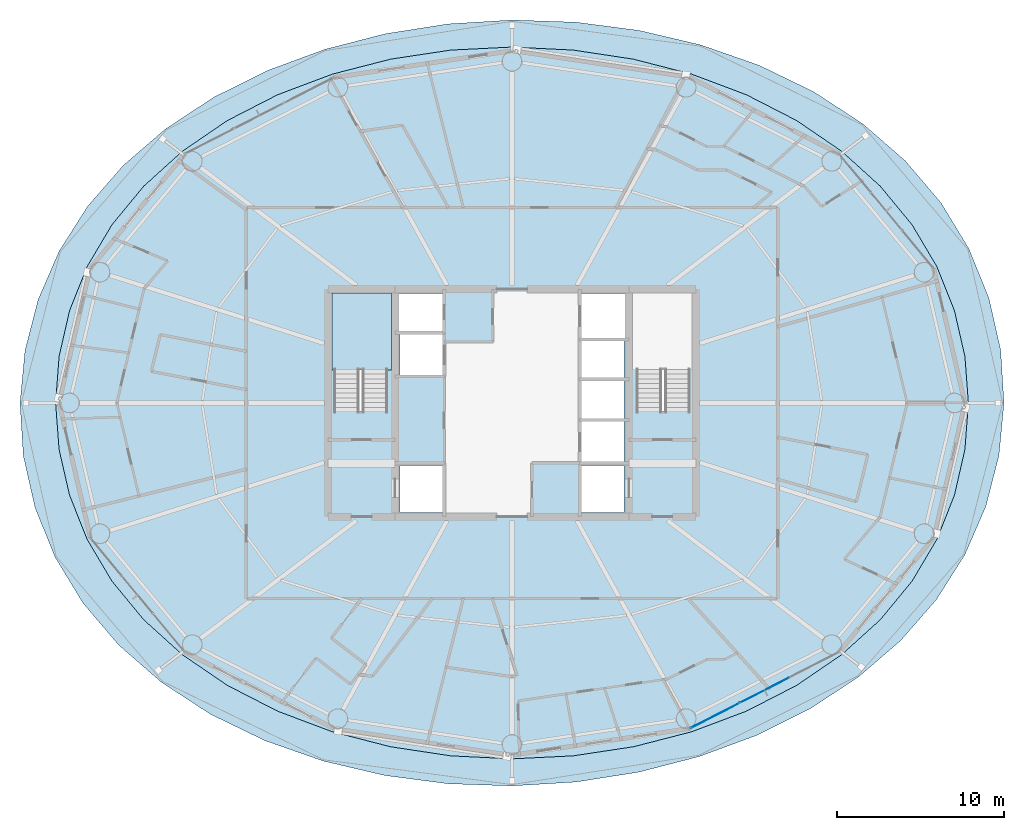
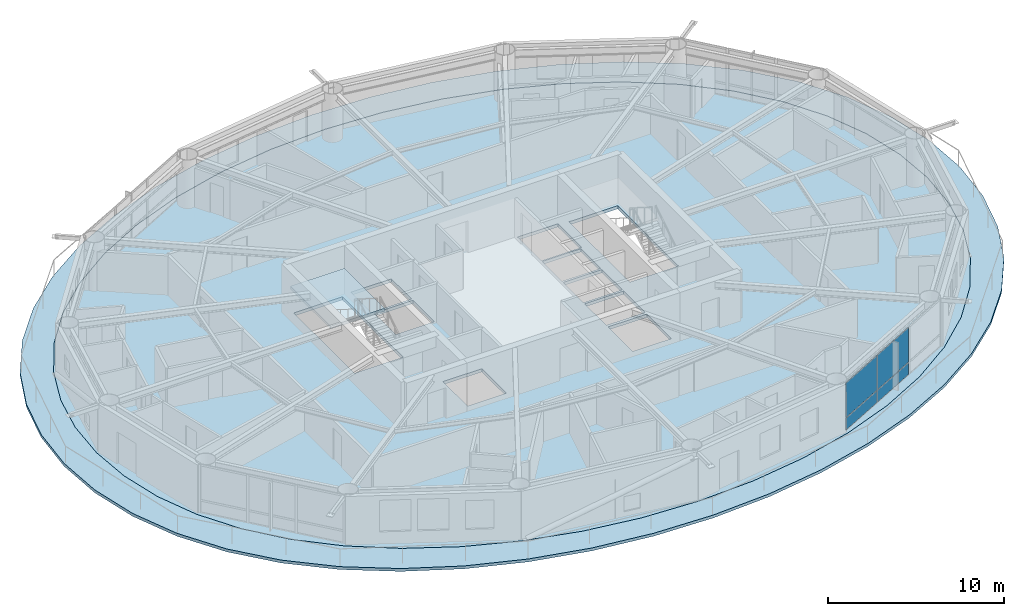
# One storey, part 18 of 28: 4 plates, 3 slabs, 2 elements without a shape of their own.
"""IFC4 building model written with IfcOpenShell, lengths in metres."""

from ifc_helpers import new_model, si_unit, direction, frame, origin, origin_2d, place, context, subcontext, project, spatial, polyline, rectangle, outline, extrude, material, layer, layer_set, type_object, element, aggregate, save


model = new_model("IFC4")

# Units and contexts
model_context = context("Model", 3, precision=1e-05, world=origin(), true_north=direction((0.0, 1.0)))
body_context = subcontext(model_context, "Body", "Model", "MODEL_VIEW")
ifc_project = project(units=[si_unit("LENGTHUNIT", "METRE"), si_unit("AREAUNIT", "SQUARE_METRE"), si_unit("VOLUMEUNIT", "CUBIC_METRE"), si_unit("PLANEANGLEUNIT", "RADIAN"), si_unit("MASSUNIT", "GRAM", prefix="KILO")], contexts=[model_context])

# Site, building, storey
site_placement = place(None, origin())
site = spatial("IfcSite", under=ifc_project, at=site_placement, CompositionType="ELEMENT")
building_placement = place(site_placement, origin())
building = spatial("IfcBuilding", under=site, at=building_placement, Name="Sarneth Arch Tower", CompositionType="ELEMENT")
storey_placement = place(building_placement, frame((0.0, 0.0, 183.0)))
storey = spatial("IfcBuildingStorey", under=building, at=storey_placement, Name="L46", CompositionType="ELEMENT", Elevation=183.0)

# Curtain wall, plates
ifc_material_1 = material(Name="Anodised aluminium Type AA25 and solar-control low-e laminated IGU", Category="aluminium")
ifc_layer_1 = layer(ifc_material_1, 0.169921875)
ifc_layer_set_1 = layer_set([ifc_layer_1], Name="Anodised aluminium Type AA25 and solar-control low-e laminated IGU")
curtain_wall_type = type_object("IfcCurtainWallType", Name="CW-RES-MID", PredefinedType="NOTDEFINED", material=ifc_layer_set_1)
curtain_wall_placement = place(storey_placement, origin())
curtain_wall = element("IfcCurtainWall", 1, at=curtain_wall_placement, inside=storey, type_object=curtain_wall_type, Name="L46 Unitised curtain wall facet 14", PredefinedType="NOTDEFINED")
ifc_material_2 = material(Name="Solar-control low-e laminated IGU", Category="glass")
ifc_layer_2 = layer(ifc_material_2, 0.028076171875)
ifc_layer_set_2 = layer_set([ifc_layer_2], Name="Solar-control low-e laminated IGU")
plate_type = type_object("IfcPlateType", Name="CW-PANEL", PredefinedType="CURTAIN_PANEL", material=ifc_layer_set_2)
plate_1_placement = place(storey_placement, frame((60.16162109375, 23.29296875, 0.06005859375), z_axis=(0.0, 0.0, 1.0), x_axis=(0.88987293003, 0.456208470329, 0.0)))
plate_1 = element("IfcPlate", 2, at=plate_1_placement, type_object=plate_type, Name="Curtain wall glazed vision pane CW-L46-F14/P00-00", PredefinedType="CURTAIN_PANEL", context=body_context, shape_type="SweptSolid", body=[
    extrude(rectangle(XDim=3.248779296875, YDim=0.028076171875, at=origin_2d()), origin(), (0.0, 0.0, 1.0), 0.81005859375),
])
plate_2_placement = place(storey_placement, frame((60.16162109375, 23.29296875, 0.93017578125), z_axis=(0.0, 0.0, 1.0), x_axis=(0.88987293003, 0.456208470329, 0.0)))
plate_2 = element("IfcPlate", 3, at=plate_2_placement, type_object=plate_type, Name="Curtain wall glazed vision pane CW-L46-F14/P00-01", PredefinedType="CURTAIN_PANEL", context=body_context, shape_type="SweptSolid", body=[
    extrude(rectangle(XDim=3.248779296875, YDim=0.028076171875, at=origin_2d()), origin(), (0.0, 0.0, 1.0), 2.389892578125),
])
plate_3_placement = place(storey_placement, frame((63.119384765625, 24.809326171875, 0.06005859375), z_axis=(0.0, 0.0, 1.0), x_axis=(0.88987293003, 0.456208470329, 0.0)))
plate_3 = element("IfcPlate", 4, at=plate_3_placement, type_object=plate_type, Name="Curtain wall glazed vision pane CW-L46-F14/P01-00", PredefinedType="CURTAIN_PANEL", context=body_context, shape_type="SweptSolid", body=[
    extrude(rectangle(XDim=3.27880859375, YDim=0.028076171875, at=origin_2d()), origin(), (0.0, 0.0, 1.0), 0.81005859375),
])
plate_4_placement = place(storey_placement, frame((63.119384765625, 24.809326171875, 0.93017578125), z_axis=(0.0, 0.0, 1.0), x_axis=(0.88987293003, 0.456208470329, 0.0)))
plate_4 = element("IfcPlate", 5, at=plate_4_placement, type_object=plate_type, Name="Curtain wall glazed vision pane CW-L46-F14/P01-01", PredefinedType="CURTAIN_PANEL", context=body_context, shape_type="SweptSolid", body=[
    extrude(rectangle(XDim=3.27880859375, YDim=0.028076171875, at=origin_2d()), origin(), (0.0, 0.0, 1.0), 2.389892578125),
])
aggregate(curtain_wall, [plate_1, plate_2, plate_3, plate_4])

# Slab
ifc_material_3 = material(Name="Concrete C50/60", Category="concrete")
ifc_layer_3 = layer(ifc_material_3, 0.199951171875)
ifc_layer_set_3 = layer_set([ifc_layer_3], Name="Concrete C50/60")
slab_type_1 = type_object("IfcSlabType", Name="SLAB-BALC-200", PredefinedType="FLOOR", material=ifc_layer_set_3)
slab_1_placement = place(storey_placement, frame((0.0, 0.0, -0.199951171875)))
element("IfcSlab", 6, at=slab_1_placement, inside=storey, type_object=slab_type_1, Name="L46 Helical balcony band slab", PredefinedType="FLOOR", context=body_context, shape_type="SweptSolid", body=[
    extrude(outline(polyline([(77.4443359375, 42.0), (77.246337890625, 45.162353515625), (76.54638671875, 48.26123046875), (75.3505859375, 51.2216796875), (73.673095703125, 53.98193359375), (71.53759765625, 56.493408203125), (68.978515625, 58.71923828125), (66.044189453125, 60.630615234375), (62.794189453125, 62.2060546875), (59.29638671875, 63.429931640625), (55.620849609375, 64.29248046875), (51.83447265625, 64.788818359375), (48.0, 64.9189453125), (44.17578125, 64.685791015625), (40.4189453125, 64.09619140625), (36.788330078125, 63.159912109375), (33.344482421875, 61.888427734375), (30.149658203125, 60.296142578125), (27.26220703125, 58.399658203125), (24.732666015625, 56.217041015625), (22.600830078125, 53.769775390625), (20.896484375, 51.083984375), (19.641845703125, 48.193115234375), (18.855712890625, 45.14404296875), (18.5556640625, 42.0), (18.753662109375, 38.837646484375), (19.45361328125, 35.73876953125), (20.6494140625, 32.7783203125), (22.326904296875, 30.01806640625), (24.46240234375, 27.506591796875), (27.021484375, 25.28076171875), (29.955810546875, 23.369384765625), (33.205810546875, 21.7939453125), (36.70361328125, 20.570068359375), (40.379150390625, 19.70751953125), (44.16552734375, 19.211181640625), (48.0, 19.0810546875), (51.82421875, 19.314208984375), (55.5810546875, 19.90380859375), (59.211669921875, 20.840087890625), (62.655517578125, 22.111572265625), (65.850341796875, 23.703857421875), (68.73779296875, 25.600341796875), (71.267333984375, 27.782958984375), (73.399169921875, 30.230224609375), (75.103515625, 32.916015625), (76.358154296875, 35.806884765625), (77.144287109375, 38.85595703125), (77.4443359375, 42.0)]), holes=[polyline([(75.313232421875, 42.0), (75.10595703125, 44.7802734375), (74.48095703125, 47.512939453125), (73.431396484375, 50.151123046875), (71.9521484375, 52.64990234375), (70.0458984375, 54.966552734375), (67.730712890625, 57.061279296875), (65.04052734375, 58.8984375), (62.025390625, 60.4462890625), (58.7470703125, 61.6787109375), (55.27197265625, 62.57421875), (51.667724609375, 63.11767578125), (48.0, 63.300048828125), (44.332275390625, 63.11767578125), (40.72802734375, 62.57421875), (37.2529296875, 61.6787109375), (33.974609375, 60.4462890625), (30.95947265625, 58.8984375), (28.269287109375, 57.061279296875), (25.9541015625, 54.966552734375), (24.0478515625, 52.64990234375), (22.568603515625, 50.151123046875), (21.51904296875, 47.512939453125), (20.89404296875, 44.7802734375), (20.686767578125, 42.0), (20.89404296875, 39.2197265625), (21.51904296875, 36.487060546875), (22.568603515625, 33.848876953125), (24.0478515625, 31.35009765625), (25.9541015625, 29.033447265625), (28.269287109375, 26.938720703125), (30.95947265625, 25.1015625), (33.974609375, 23.5537109375), (37.2529296875, 22.3212890625), (40.72802734375, 21.42578125), (44.332275390625, 20.88232421875), (48.0, 20.699951171875), (51.667724609375, 20.88232421875), (55.27197265625, 21.42578125), (58.7470703125, 22.3212890625), (62.025390625, 23.5537109375), (65.04052734375, 25.1015625), (67.730712890625, 26.938720703125), (70.0458984375, 29.033447265625), (71.9521484375, 31.35009765625), (73.431396484375, 33.848876953125), (74.48095703125, 36.487060546875), (75.10595703125, 39.2197265625), (75.313232421875, 42.0)])]), origin(), (0.0, 0.0, 1.0), 0.199951171875),
])

# Stair, slab
ifc_material_4 = material(Name="Concrete C50/60", Category="concrete")
stair_type = type_object("IfcStairType", Name="STAIR-CORE-RC", PredefinedType="HALF_TURN_STAIR", material=ifc_material_4)
stair_placement = place(storey_placement, origin())
stair = element("IfcStair", 7, at=stair_placement, inside=storey, type_object=stair_type, Name="L46 Core Exit Stair 1", PredefinedType="HALF_TURN_STAIR")
ifc_material_5 = material(Name="Concrete C50/60", Category="concrete")
ifc_layer_4 = layer(ifc_material_5, 0.199951171875)
ifc_layer_set_4 = layer_set([ifc_layer_4], Name="Concrete C50/60")
slab_type_2 = type_object("IfcSlabType", Name="SLAB-LANDING-200", PredefinedType="LANDING", material=ifc_layer_set_4)
slab_2_placement = place(storey_placement, frame((0.0, 0.0, 1.60009765625)))
slab_2 = element("IfcSlab", 8, at=slab_2_placement, type_object=slab_type_2, Name="ST-1 landing 1", PredefinedType="LANDING", context=body_context, shape_type="SweptSolid", body=[
    extrude(outline(polyline([(37.22509765625, 43.985107421875), (40.77490234375, 43.985107421875), (40.77490234375, 48.574951171875), (37.22509765625, 48.574951171875), (37.22509765625, 43.985107421875)])), origin(), (0.0, 0.0, 1.0), 0.199951171875),
])
aggregate(stair, [slab_2])

# Slab
ifc_material_6 = material(Name="Concrete C50/60", Category="concrete")
ifc_layer_5 = layer(ifc_material_6, 0.219970703125)
ifc_layer_set_5 = layer_set([ifc_layer_5], Name="Concrete C50/60")
slab_type_3 = type_object("IfcSlabType", Name="SLAB-TOWER-220", PredefinedType="FLOOR", material=ifc_layer_set_5)
slab_3_placement = place(storey_placement, frame((0.0, 0.0, -0.219970703125)))
element("IfcSlab", 9, at=slab_3_placement, inside=storey, type_object=slab_type_3, Name="L46 Elliptical floor slab", PredefinedType="FLOOR", context=body_context, shape_type="SweptSolid", body=[
    extrude(outline(polyline([(75.313232421875, 42.0), (75.10595703125, 44.7802734375), (74.48095703125, 47.512939453125), (73.431396484375, 50.151123046875), (71.9521484375, 52.64990234375), (70.0458984375, 54.966552734375), (67.730712890625, 57.061279296875), (65.04052734375, 58.8984375), (62.025390625, 60.4462890625), (58.7470703125, 61.6787109375), (55.27197265625, 62.57421875), (51.667724609375, 63.11767578125), (48.0, 63.300048828125), (44.332275390625, 63.11767578125), (40.72802734375, 62.57421875), (37.2529296875, 61.6787109375), (33.974609375, 60.4462890625), (30.95947265625, 58.8984375), (28.269287109375, 57.061279296875), (25.9541015625, 54.966552734375), (24.0478515625, 52.64990234375), (22.568603515625, 50.151123046875), (21.51904296875, 47.512939453125), (20.89404296875, 44.7802734375), (20.686767578125, 42.0), (20.89404296875, 39.2197265625), (21.51904296875, 36.487060546875), (22.568603515625, 33.848876953125), (24.0478515625, 31.35009765625), (25.9541015625, 29.033447265625), (28.269287109375, 26.938720703125), (30.95947265625, 25.1015625), (33.974609375, 23.5537109375), (37.2529296875, 22.3212890625), (40.72802734375, 21.42578125), (44.332275390625, 20.88232421875), (48.0, 20.699951171875), (51.667724609375, 20.88232421875), (55.27197265625, 21.42578125), (58.7470703125, 22.3212890625), (62.025390625, 23.5537109375), (65.04052734375, 25.1015625), (67.730712890625, 26.938720703125), (70.0458984375, 29.033447265625), (71.9521484375, 31.35009765625), (73.431396484375, 33.848876953125), (74.48095703125, 36.487060546875), (75.10595703125, 39.2197265625), (75.313232421875, 42.0)]), holes=[polyline([(37.35009765625, 41.489990234375), (40.550048828125, 41.489990234375), (40.550048828125, 48.39990234375), (37.35009765625, 48.39990234375), (37.35009765625, 41.489990234375)]), polyline([(55.449951171875, 41.489990234375), (58.64990234375, 41.489990234375), (58.64990234375, 48.39990234375), (55.449951171875, 48.39990234375), (55.449951171875, 41.489990234375)]), polyline([(41.199951171875, 46.25), (43.85009765625, 46.25), (43.85009765625, 48.550048828125), (41.199951171875, 48.550048828125), (41.199951171875, 46.25)]), polyline([(41.300048828125, 35.449951171875), (43.85009765625, 35.449951171875), (43.85009765625, 38.25), (41.300048828125, 38.25), (41.300048828125, 35.449951171875)]), polyline([(52.14990234375, 35.449951171875), (54.699951171875, 35.449951171875), (54.699951171875, 38.25), (52.14990234375, 38.25), (52.14990234375, 35.449951171875)]), polyline([(52.14990234375, 45.85009765625), (54.800048828125, 45.85009765625), (54.800048828125, 48.550048828125), (52.14990234375, 48.550048828125), (52.14990234375, 45.85009765625)]), polyline([(41.300048828125, 43.64990234375), (43.85009765625, 43.64990234375), (43.85009765625, 46.10009765625), (41.300048828125, 46.10009765625), (41.300048828125, 43.64990234375)]), polyline([(52.14990234375, 38.449951171875), (54.699951171875, 38.449951171875), (54.699951171875, 40.89990234375), (52.14990234375, 40.89990234375), (52.14990234375, 38.449951171875)]), polyline([(52.14990234375, 41.050048828125), (54.699951171875, 41.050048828125), (54.699951171875, 43.35009765625), (52.14990234375, 43.35009765625), (52.14990234375, 41.050048828125)]), polyline([(52.14990234375, 43.5), (54.699951171875, 43.5), (54.699951171875, 45.75), (52.14990234375, 45.75), (52.14990234375, 43.5)])]), origin(), (0.0, 0.0, 1.0), 0.219970703125),
])

save(model, "model.ifc")
